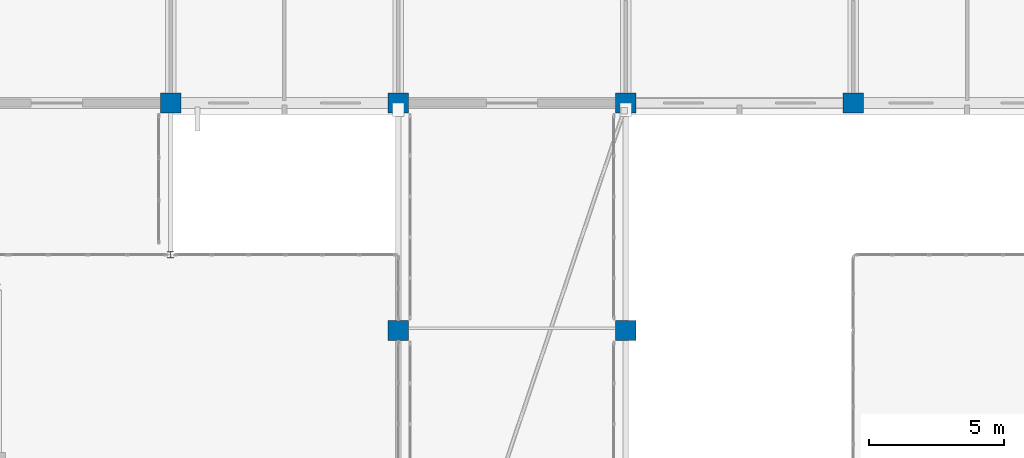
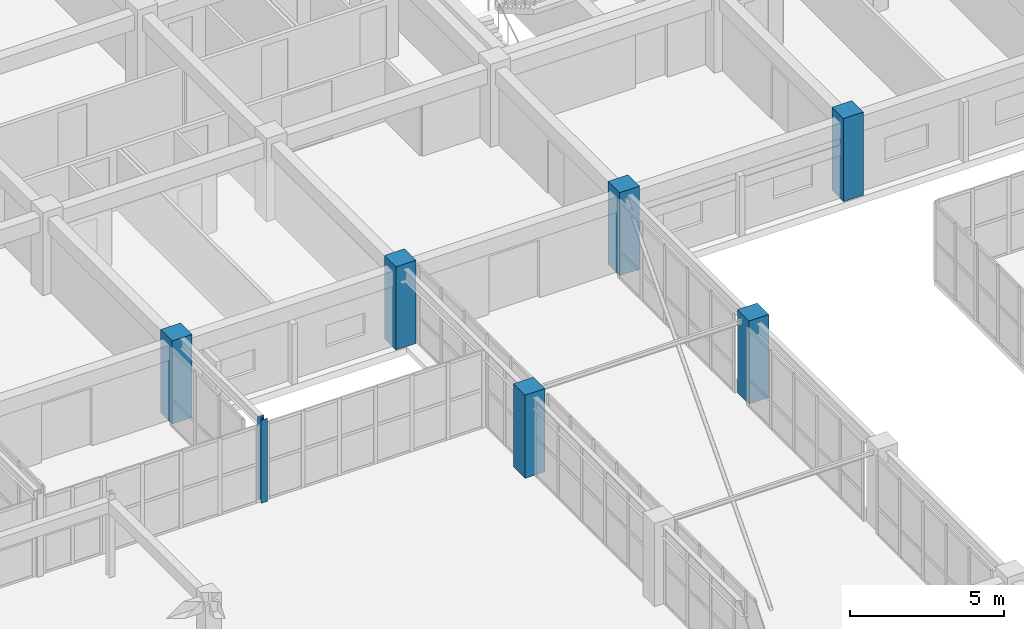
# One storey, part 19 of 200: 7 columns.
"""IFC4 building model written with IfcOpenShell, lengths in metres."""

from ifc_helpers import new_model, si_unit, direction, frame, origin, origin_2d, place, context, subcontext, project, spatial, rectangle, i_section, extrude, material, material_profile, profile_set, type_object, element, save


model = new_model("IFC4")

# Units and contexts
model_context = context("Model", 3, precision=1e-05, world=origin(), true_north=direction((0.0, 1.0)))
body_context = subcontext(model_context, "Body", "Model", "MODEL_VIEW")
ifc_project = project(units=[si_unit("LENGTHUNIT", "METRE"), si_unit("AREAUNIT", "SQUARE_METRE"), si_unit("VOLUMEUNIT", "CUBIC_METRE"), si_unit("PLANEANGLEUNIT", "RADIAN"), si_unit("MASSUNIT", "GRAM", prefix="KILO")], contexts=[model_context])

# Site, building, storey
site_placement = place(None, origin())
site = spatial("IfcSite", under=ifc_project, at=site_placement, CompositionType="ELEMENT")
building_placement = place(site_placement, origin())
building = spatial("IfcBuilding", under=site, at=building_placement, Name="Trelvath General Hospital", CompositionType="ELEMENT")
storey_placement = place(building_placement, frame((0.0, 0.0, 4.800048828125)))
storey = spatial("IfcBuildingStorey", under=building, at=storey_placement, Name="L01", CompositionType="ELEMENT", Elevation=4.800048828125)

# Columns
ifc_material_1 = material(Name="Steel S355", Category="steel")
ifc_material_profile_1 = material_profile(ifc_material_1, i_section(OverallWidth=0.239990234375, OverallDepth=0.22998046875, WebThickness=0.007568359375, FlangeThickness=0.011962890625, at=origin_2d()), Name="HEA240")
ifc_profile_set_1 = profile_set([ifc_material_profile_1], Name="Steel S355")
column_type_1 = type_object("IfcColumnType", Name="BridgeColumn HEA240", PredefinedType="COLUMN", material=ifc_profile_set_1)
column_placement = place(storey_placement, frame((67.199951171875, 86.800048828125, 0.0), z_axis=(0.0, 0.0, 1.0), x_axis=(1.0, 0.0, 0.0)))
element("IfcColumn", 1, at=column_placement, inside=storey, type_object=column_type_1, Name="Bridge Portal Column BC-06 L01", PredefinedType="COLUMN", context=body_context, shape_type="SweptSolid", body=[
    extrude(i_section(OverallWidth=0.239990234375, OverallDepth=0.22998046875, WebThickness=0.007568359375, FlangeThickness=0.011962890625, at=origin_2d()), origin(), (0.0, 0.0, 1.0), 3.300048828125),
])
ifc_material_2 = material(Name="Concrete C40/50", Category="concrete")
ifc_material_profile_2 = material_profile(ifc_material_2, rectangle(XDim=0.75, YDim=0.75, at=origin_2d()), Name="RC750x750")
ifc_profile_set_2 = profile_set([ifc_material_profile_2], Name="Concrete C40/50")
column_type_2 = type_object("IfcColumnType", Name="Column RC750", PredefinedType="COLUMN", material=ifc_profile_set_2)
for number, where, z_axis, x_axis, name in (
    (2, (67.199951171875, 92.39990234375, 0.0), (0.0, 0.0, 1.0), (1.0, 0.0, 0.0), "Column C-9L L01"),
    (3, (75.60009765625, 84.0, 0.0), (0.0, 0.0, 1.0), (1.0, 0.0, 0.0), "Column C-10K L01"),
    (4, (75.60009765625, 92.39990234375, 0.0), (0.0, 0.0, 1.0), (1.0, 0.0, 0.0), "Column C-10L L01"),
    (5, (84.0, 84.0, 0.0), (0.0, 0.0, 1.0), (1.0, 0.0, 0.0), "Column C-11K L01"),
    (6, (84.0, 92.39990234375, 0.0), (0.0, 0.0, 1.0), (1.0, 0.0, 0.0), "Column C-11L L01"),
    (7, (92.39990234375, 92.39990234375, 0.0), (0.0, 0.0, 1.0), (1.0, 0.0, 0.0), "Column C-12L L01"),
):
    element("IfcColumn", number, at=place(storey_placement, frame(where, z_axis=z_axis, x_axis=x_axis)), inside=storey, type_object=column_type_2, Name=name, PredefinedType="COLUMN", context=body_context, shape_type="SweptSolid", body=[
        extrude(rectangle(XDim=0.75, YDim=0.75, at=origin_2d()), origin(), (0.0, 0.0, 1.0), 3.300048828125),
    ])

save(model, "model.ifc")
